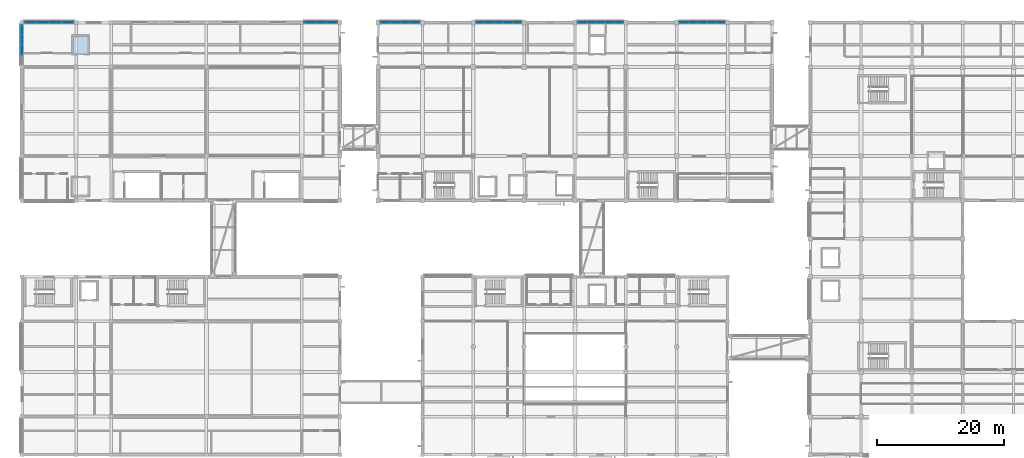
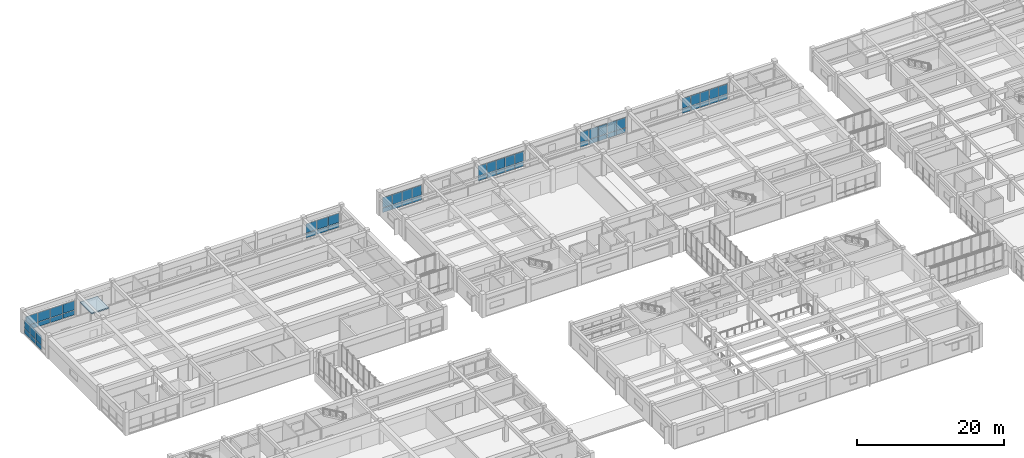
# One storey, part 41 of 66: 58 plates, 1 slab, 7 elements without a shape of their own.
"""IFC4 building model written with IfcOpenShell, lengths in metres."""

import ifcopenshell
import ifcopenshell.guid

model = None  # the IFC model being written
_history = None  # IfcOwnerHistory: only IFC2X3 demands one
_inside = {}  # id of a spatial element -> (the spatial element, [elements in it])
_under = {}  # id of a project, library or spatial element -> (it, [spatial elements below it])
_declared = {}  # id of a project -> (the project, [libraries it declares])
_typed = {}  # id of a type object -> (the type object, [elements of that type])
_made_of = {}  # id of a material, layer set ... -> (it, [elements and type objects made of it])


def new_model(schema):
    """Start an empty IFC model of exactly this schema.

    Asked for "IFC4X3", IfcOpenShell would pick the latest addendum, in which some entities
    have other attributes; the version numbers below select the first issue.
    IFC2X3 requires an IfcOwnerHistory on every rooted entity: one is made here for all.
    """
    global model, _history
    if schema == "IFC4X3":
        model = ifcopenshell.file(schema_version=(4, 3, 0, 0))
    else:
        model = ifcopenshell.file(schema=schema)
    _inside.clear()
    _under.clear()
    _declared.clear()
    _typed.clear()
    _made_of.clear()
    _history = None
    if model.schema == "IFC2X3":
        org = make("IfcOrganization", Name="unknown")
        user = make(
            "IfcPersonAndOrganization",
            ThePerson=make("IfcPerson", FamilyName="unknown"),
            TheOrganization=org,
        )
        app = make(
            "IfcApplication",
            ApplicationDeveloper=org,
            Version="unknown",
            ApplicationFullName="unknown",
            ApplicationIdentifier="unknown",
        )
        _history = make(
            "IfcOwnerHistory",
            OwningUser=user,
            OwningApplication=app,
            ChangeAction="ADDED",
            CreationDate=0,
        )
    return model


def make(cls, **values):
    """One entity of the class cls with the attributes given. An attribute that is None is left unset."""
    return model.create_entity(
        cls, **{name: value for name, value in values.items() if value is not None}
    )


def rooted(cls, **values):
    """An entity with a GlobalId (a new one), such as an element, a storey or a relation."""
    return make(cls, GlobalId=ifcopenshell.guid.new(), OwnerHistory=_history, **values)


def si_unit(unit_type, name, prefix=None):
    """IfcSIUnit, for example si_unit("LENGTHUNIT", "METRE", prefix="MILLI")."""
    return make("IfcSIUnit", UnitType=unit_type, Prefix=prefix, Name=name)


def assignment(units):
    """IfcUnitAssignment: the units of a project."""
    return None if units is None else make("IfcUnitAssignment", Units=units)


def point(xyz):
    """IfcCartesianPoint."""
    return None if xyz is None else make("IfcCartesianPoint", Coordinates=xyz)


def direction(xyz):
    """IfcDirection."""
    return None if xyz is None else make("IfcDirection", DirectionRatios=xyz)


def frame(location, z_axis=None, x_axis=None):
    """IfcAxis2Placement3D, a coordinate frame: its origin and axes. An axis left out is left unset."""
    return make(
        "IfcAxis2Placement3D",
        Location=point(location),
        Axis=direction(z_axis),
        RefDirection=direction(x_axis),
    )


def frame_2d(location, x_axis=None):
    """IfcAxis2Placement2D, a coordinate frame in the plane: its origin and x axis."""
    return make(
        "IfcAxis2Placement2D", Location=point(location), RefDirection=direction(x_axis)
    )


def origin():
    """The frame at (0, 0, 0) with its axes left unset."""
    return frame((0.0, 0.0, 0.0))


def origin_2d():
    """The frame at (0, 0) in the plane with its x axis left unset."""
    return frame_2d((0.0, 0.0))


def place(relative_to, where):
    """IfcLocalPlacement: puts the frame where relative to a parent placement (None: the world)."""
    return make(
        "IfcLocalPlacement", PlacementRelTo=relative_to, RelativePlacement=where
    )


def context(
    kind, dimensions, precision=None, world=None, true_north=None, identifier=None
):
    """IfcGeometricRepresentationContext, for example the 3D "Model" context."""
    return make(
        "IfcGeometricRepresentationContext",
        ContextIdentifier=identifier,
        ContextType=kind,
        CoordinateSpaceDimension=dimensions,
        Precision=precision,
        WorldCoordinateSystem=world,
        TrueNorth=true_north,
    )


def subcontext(parent, identifier, kind, view, scale=None):
    """IfcGeometricRepresentationSubContext, for example "Body" below "Model"."""
    return make(
        "IfcGeometricRepresentationSubContext",
        ContextIdentifier=identifier,
        ContextType=kind,
        ParentContext=parent,
        TargetScale=scale,
        TargetView=view,
    )


def project(units=None, contexts=None):
    """IfcProject with its units and contexts."""
    return rooted(
        "IfcProject",
        Name="project",
        RepresentationContexts=contexts,
        UnitsInContext=assignment(units),
    )


def spatial(cls, under=None, at=None, **own):
    """A site, building, storey or space (cls), placed at a placement, below another one or the project."""
    s = rooted(cls, ObjectPlacement=at, **own)
    if under is not None:
        _under.setdefault(under.id(), (under, []))[1].append(s)
    return s


def polyline(points):
    """IfcPolyline through the points."""
    return make("IfcPolyline", Points=[point(p) for p in points])


def profile(cls, at=None, kind="AREA", **sizes):
    """A parametric profile (cls). Its sizes go by their IFC names, for example OverallWidth=200.0."""
    return make(cls, ProfileType=kind, Position=at, **sizes)


def rectangle(**sizes):
    """IfcRectangleProfileDef."""
    return profile("IfcRectangleProfileDef", **sizes)


def outline(outer, holes=None, kind="AREA"):
    """IfcArbitraryClosedProfileDef: a profile drawn as a closed curve; with holes, ...WithVoids."""
    if holes is None:
        return make("IfcArbitraryClosedProfileDef", ProfileType=kind, OuterCurve=outer)
    return make(
        "IfcArbitraryProfileDefWithVoids",
        ProfileType=kind,
        OuterCurve=outer,
        InnerCurves=holes,
    )


def extrude(swept, where, along, depth):
    """IfcExtrudedAreaSolid: the profile swept, set in the frame where, extruded along a direction by depth."""
    return make(
        "IfcExtrudedAreaSolid",
        SweptArea=swept,
        Position=where,
        ExtrudedDirection=direction(along),
        Depth=depth,
    )


def shape(context_of_items, identifier, shape_type, items):
    """IfcShapeRepresentation: the items that make up one representation, for example the "Body"."""
    return make(
        "IfcShapeRepresentation",
        ContextOfItems=context_of_items,
        RepresentationIdentifier=identifier,
        RepresentationType=shape_type,
        Items=items,
    )


def material(Name=None, Category=None):
    """IfcMaterial."""
    return make("IfcMaterial", Name=Name, Category=Category)


def layer(
    of_material, thickness, ventilated=None, Name=None, Category=None, Priority=None
):
    """IfcMaterialLayer: one layer of a wall or slab, of a material (None: an air gap)."""
    return make(
        "IfcMaterialLayer",
        Material=of_material,
        LayerThickness=thickness,
        IsVentilated=ventilated,
        Name=Name,
        Category=Category,
        Priority=Priority,
    )


def layer_set(layers, Name=None):
    """IfcMaterialLayerSet."""
    return make("IfcMaterialLayerSet", MaterialLayers=layers, LayerSetName=Name)


def made_of(thing, what):
    """Note that an element or type object is made of a material, layer set ...; save() writes the relation."""
    if what is not None:
        _made_of.setdefault(what.id(), (what, []))[1].append(thing)
    return thing


def type_object(cls, material=None, **own):
    """A type object (cls), such as IfcWallType, which elements share."""
    return made_of(rooted(cls, **own), material)


def element(
    cls,
    number,
    at=None,
    inside=None,
    cuts=None,
    type_object=None,
    material=None,
    context=None,
    identifier="Body",
    shape_type=None,
    held_by="IfcProductDefinitionShape",
    body=None,
    shapes=None,
    **own,
):
    """One element of the class cls, such as IfcWall. Its Tag is "e" and its number.

    at: its placement. inside: the storey or other place that contains it. cuts: it is an
    opening in that element (IfcRelVoidsElement). A single representation is given by context,
    identifier, shape_type and body (its items); several are given by shapes. held_by: the class
    of the entity that holds the representations. save() writes the other relations.
    """
    e = rooted(cls, Tag="e%d" % number, ObjectPlacement=at, **own)
    if body is not None:
        shapes = [shape(context, identifier, shape_type, body)]
    if shapes is not None:
        e.Representation = make(held_by, Representations=shapes)
    if inside is not None:
        _inside.setdefault(inside.id(), (inside, []))[1].append(e)
    if cuts is not None:
        rooted(
            "IfcRelVoidsElement", RelatingBuildingElement=cuts, RelatedOpeningElement=e
        )
    if type_object is not None:
        _typed.setdefault(type_object.id(), (type_object, []))[1].append(e)
    return made_of(e, material)


def aggregate(whole, parts):
    """IfcRelAggregates: a whole, such as a stair, and the parts it consists of."""
    return rooted("IfcRelAggregates", RelatingObject=whole, RelatedObjects=parts)


def save(model, path):
    """Write the relations noted so far, then the file.

    IfcRelAggregates (storeys below a building ...), IfcRelContainedInSpatialStructure (elements
    in a storey), IfcRelDefinesByType, IfcRelAssociatesMaterial and IfcRelDeclares: one each for
    every whole, place, type object, material and project.
    """
    for whole, parts in _under.values():
        aggregate(whole, parts)
    for where, things in _inside.values():
        rooted(
            "IfcRelContainedInSpatialStructure",
            RelatedElements=things,
            RelatingStructure=where,
        )
    for kind, things in _typed.values():
        rooted("IfcRelDefinesByType", RelatedObjects=things, RelatingType=kind)
    for what, things in _made_of.values():
        rooted("IfcRelAssociatesMaterial", RelatedObjects=things, RelatingMaterial=what)
    for by, libraries in _declared.values():
        rooted("IfcRelDeclares", RelatingContext=by, RelatedDefinitions=libraries)
    model.write(path)


model = new_model("IFC4")

# Units and contexts
model_context = context("Model", 3, precision=1e-05, world=origin(), true_north=direction((0.0, 1.0)))
body_context = subcontext(model_context, "Body", "Model", "MODEL_VIEW")
ifc_project = project(units=[si_unit("LENGTHUNIT", "METRE"), si_unit("AREAUNIT", "SQUARE_METRE"), si_unit("VOLUMEUNIT", "CUBIC_METRE"), si_unit("PLANEANGLEUNIT", "RADIAN"), si_unit("MASSUNIT", "GRAM", prefix="KILO")], contexts=[model_context])

# Site, building, storey
site_placement = place(None, origin())
site = spatial("IfcSite", under=ifc_project, at=site_placement, CompositionType="ELEMENT")
building_placement = place(site_placement, origin())
building = spatial("IfcBuilding", under=site, at=building_placement, Name="Naurynzar Civic Courthouse", CompositionType="ELEMENT")
storey_placement = place(building_placement, frame((0.0, 0.0, 14.39990234375)))
storey = spatial("IfcBuildingStorey", under=building, at=storey_placement, Name="L04", CompositionType="ELEMENT", Elevation=14.39990234375)

# Curtain wall, plates
ifc_material_1 = material(Name="Aluminium 6063-T6", Category="aluminium")
ifc_layer_1 = layer(ifc_material_1, 0.179931640625)
ifc_layer_set_1 = layer_set([ifc_layer_1], Name="CW-UNIT-1500")
curtain_wall_type_1 = type_object("IfcCurtainWallType", Name="CW-UNIT-1500", PredefinedType="NOTDEFINED", material=ifc_layer_set_1)
curtain_wall_1_placement = place(storey_placement, origin())
curtain_wall_1 = element("IfcCurtainWall", 1, at=curtain_wall_1_placement, inside=storey, type_object=curtain_wall_type_1, Name="V2 unitised curtain wall 31 L04", PredefinedType="NOTDEFINED")
ifc_material_2 = material(Name="Tempered Laminated Low-E Glass", Category="glass")
ifc_layer_2 = layer(ifc_material_2, 0.031982421875)
ifc_layer_set_2 = layer_set([ifc_layer_2], Name="CWP-IGU-32")
plate_type_1 = type_object("IfcPlateType", Name="CWP-IGU-32", PredefinedType="CURTAIN_PANEL", material=ifc_layer_set_2)
plate_1_placement = place(storey_placement, frame((63.171142578125, 72.0, 0.06005859375), z_axis=(0.0, 0.0, 1.0), x_axis=(1.0, 0.0, 0.0)))
plate_1 = element("IfcPlate", 2, at=plate_1_placement, type_object=plate_type_1, Name="CW-01 panel 1.1", PredefinedType="CURTAIN_PANEL", context=body_context, shape_type="SweptSolid", body=[
    extrude(rectangle(XDim=1.472412109375, YDim=0.031982421875, at=origin_2d()), origin(), (0.0, 0.0, 1.0), 0.760009765625),
])
plate_2_placement = place(storey_placement, frame((63.171142578125, 72.0, 0.880126953125), z_axis=(0.0, 0.0, 1.0), x_axis=(1.0, 0.0, 0.0)))
plate_2 = element("IfcPlate", 3, at=plate_2_placement, type_object=plate_type_1, Name="CW-01 panel 1.2", PredefinedType="CURTAIN_PANEL", context=body_context, shape_type="SweptSolid", body=[
    extrude(rectangle(XDim=1.472412109375, YDim=0.031982421875, at=origin_2d()), origin(), (0.0, 0.0, 1.0), 1.669921875),
])
plate_3_placement = place(storey_placement, frame((64.71875, 72.0, 0.06005859375), z_axis=(0.0, 0.0, 1.0), x_axis=(1.0, 0.0, 0.0)))
plate_3 = element("IfcPlate", 4, at=plate_3_placement, type_object=plate_type_1, Name="CW-01 panel 2.1", PredefinedType="CURTAIN_PANEL", context=body_context, shape_type="SweptSolid", body=[
    extrude(rectangle(XDim=1.50244140625, YDim=0.031982421875, at=origin_2d()), origin(), (0.0, 0.0, 1.0), 0.760009765625),
])
plate_4_placement = place(storey_placement, frame((64.71875, 72.0, 0.880126953125), z_axis=(0.0, 0.0, 1.0), x_axis=(1.0, 0.0, 0.0)))
plate_4 = element("IfcPlate", 5, at=plate_4_placement, type_object=plate_type_1, Name="CW-01 panel 2.2", PredefinedType="CURTAIN_PANEL", context=body_context, shape_type="SweptSolid", body=[
    extrude(rectangle(XDim=1.50244140625, YDim=0.031982421875, at=origin_2d()), origin(), (0.0, 0.0, 1.0), 1.669921875),
])
plate_5_placement = place(storey_placement, frame((66.28125, 72.0, 0.06005859375), z_axis=(0.0, 0.0, 1.0), x_axis=(1.0, 0.0, 0.0)))
plate_5 = element("IfcPlate", 6, at=plate_5_placement, type_object=plate_type_1, Name="CW-01 panel 3.1", PredefinedType="CURTAIN_PANEL", context=body_context, shape_type="SweptSolid", body=[
    extrude(rectangle(XDim=1.50244140625, YDim=0.031982421875, at=origin_2d()), origin(), (0.0, 0.0, 1.0), 0.760009765625),
])
plate_6_placement = place(storey_placement, frame((66.28125, 72.0, 0.880126953125), z_axis=(0.0, 0.0, 1.0), x_axis=(1.0, 0.0, 0.0)))
plate_6 = element("IfcPlate", 7, at=plate_6_placement, type_object=plate_type_1, Name="CW-01 panel 3.2", PredefinedType="CURTAIN_PANEL", context=body_context, shape_type="SweptSolid", body=[
    extrude(rectangle(XDim=1.50244140625, YDim=0.031982421875, at=origin_2d()), origin(), (0.0, 0.0, 1.0), 1.669921875),
])
plate_7_placement = place(storey_placement, frame((67.828857421875, 72.0, 0.06005859375), z_axis=(0.0, 0.0, 1.0), x_axis=(1.0, 0.0, 0.0)))
plate_7 = element("IfcPlate", 8, at=plate_7_placement, type_object=plate_type_1, Name="CW-01 panel 4.1", PredefinedType="CURTAIN_PANEL", context=body_context, shape_type="SweptSolid", body=[
    extrude(rectangle(XDim=1.472412109375, YDim=0.031982421875, at=origin_2d()), origin(), (0.0, 0.0, 1.0), 0.760009765625),
])
plate_8_placement = place(storey_placement, frame((67.828857421875, 72.0, 0.880126953125), z_axis=(0.0, 0.0, 1.0), x_axis=(1.0, 0.0, 0.0)))
plate_8 = element("IfcPlate", 9, at=plate_8_placement, type_object=plate_type_1, Name="CW-01 panel 4.2", PredefinedType="CURTAIN_PANEL", context=body_context, shape_type="SweptSolid", body=[
    extrude(rectangle(XDim=1.472412109375, YDim=0.031982421875, at=origin_2d()), origin(), (0.0, 0.0, 1.0), 1.669921875),
])
aggregate(curtain_wall_1, [plate_1, plate_2, plate_3, plate_4, plate_5, plate_6, plate_7, plate_8])

curtain_wall_2_placement = place(storey_placement, origin())
curtain_wall_2 = element("IfcCurtainWall", 10, at=curtain_wall_2_placement, inside=storey, type_object=curtain_wall_type_1, Name="V2 unitised curtain wall 32 L04", PredefinedType="NOTDEFINED")
plate_9_placement = place(storey_placement, frame((78.114990234375, 72.0, 0.06005859375), z_axis=(0.0, 0.0, 1.0), x_axis=(1.0, 0.0, 0.0)))
plate_9 = element("IfcPlate", 11, at=plate_9_placement, type_object=plate_type_1, Name="CW-01 panel 1.1", PredefinedType="CURTAIN_PANEL", context=body_context, shape_type="SweptSolid", body=[
    extrude(rectangle(XDim=1.360107421875, YDim=0.031982421875, at=origin_2d()), origin(), (0.0, 0.0, 1.0), 0.760009765625),
])
plate_10_placement = place(storey_placement, frame((78.114990234375, 72.0, 0.880126953125), z_axis=(0.0, 0.0, 1.0), x_axis=(1.0, 0.0, 0.0)))
plate_10 = element("IfcPlate", 12, at=plate_10_placement, type_object=plate_type_1, Name="CW-01 panel 1.2", PredefinedType="CURTAIN_PANEL", context=body_context, shape_type="SweptSolid", body=[
    extrude(rectangle(XDim=1.360107421875, YDim=0.031982421875, at=origin_2d()), origin(), (0.0, 0.0, 1.0), 1.669921875),
])
plate_11_placement = place(storey_placement, frame((79.550048828125, 72.0, 0.06005859375), z_axis=(0.0, 0.0, 1.0), x_axis=(1.0, 0.0, 0.0)))
plate_11 = element("IfcPlate", 13, at=plate_11_placement, type_object=plate_type_1, Name="CW-01 panel 2.1", PredefinedType="CURTAIN_PANEL", context=body_context, shape_type="SweptSolid", body=[
    extrude(rectangle(XDim=1.389892578125, YDim=0.031982421875, at=origin_2d()), origin(), (0.0, 0.0, 1.0), 0.760009765625),
])
plate_12_placement = place(storey_placement, frame((79.550048828125, 72.0, 0.880126953125), z_axis=(0.0, 0.0, 1.0), x_axis=(1.0, 0.0, 0.0)))
plate_12 = element("IfcPlate", 14, at=plate_12_placement, type_object=plate_type_1, Name="CW-01 panel 2.2", PredefinedType="CURTAIN_PANEL", context=body_context, shape_type="SweptSolid", body=[
    extrude(rectangle(XDim=1.389892578125, YDim=0.031982421875, at=origin_2d()), origin(), (0.0, 0.0, 1.0), 1.669921875),
])
plate_13_placement = place(storey_placement, frame((81.0, 72.0, 0.06005859375), z_axis=(0.0, 0.0, 1.0), x_axis=(1.0, 0.0, 0.0)))
plate_13 = element("IfcPlate", 15, at=plate_13_placement, type_object=plate_type_1, Name="CW-01 panel 3.1", PredefinedType="CURTAIN_PANEL", context=body_context, shape_type="SweptSolid", body=[
    extrude(rectangle(XDim=1.389892578125, YDim=0.031982421875, at=origin_2d()), origin(), (0.0, 0.0, 1.0), 0.760009765625),
])
plate_14_placement = place(storey_placement, frame((81.0, 72.0, 0.880126953125), z_axis=(0.0, 0.0, 1.0), x_axis=(1.0, 0.0, 0.0)))
plate_14 = element("IfcPlate", 16, at=plate_14_placement, type_object=plate_type_1, Name="CW-01 panel 3.2", PredefinedType="CURTAIN_PANEL", context=body_context, shape_type="SweptSolid", body=[
    extrude(rectangle(XDim=1.389892578125, YDim=0.031982421875, at=origin_2d()), origin(), (0.0, 0.0, 1.0), 1.669921875),
])
plate_15_placement = place(storey_placement, frame((82.449951171875, 72.0, 0.06005859375), z_axis=(0.0, 0.0, 1.0), x_axis=(1.0, 0.0, 0.0)))
plate_15 = element("IfcPlate", 17, at=plate_15_placement, type_object=plate_type_1, Name="CW-01 panel 4.1", PredefinedType="CURTAIN_PANEL", context=body_context, shape_type="SweptSolid", body=[
    extrude(rectangle(XDim=1.389892578125, YDim=0.031982421875, at=origin_2d()), origin(), (0.0, 0.0, 1.0), 0.760009765625),
])
plate_16_placement = place(storey_placement, frame((82.449951171875, 72.0, 0.880126953125), z_axis=(0.0, 0.0, 1.0), x_axis=(1.0, 0.0, 0.0)))
plate_16 = element("IfcPlate", 18, at=plate_16_placement, type_object=plate_type_1, Name="CW-01 panel 4.2", PredefinedType="CURTAIN_PANEL", context=body_context, shape_type="SweptSolid", body=[
    extrude(rectangle(XDim=1.389892578125, YDim=0.031982421875, at=origin_2d()), origin(), (0.0, 0.0, 1.0), 1.669921875),
])
plate_17_placement = place(storey_placement, frame((83.885009765625, 72.0, 0.06005859375), z_axis=(0.0, 0.0, 1.0), x_axis=(1.0, 0.0, 0.0)))
plate_17 = element("IfcPlate", 19, at=plate_17_placement, type_object=plate_type_1, Name="CW-01 panel 5.1", PredefinedType="CURTAIN_PANEL", context=body_context, shape_type="SweptSolid", body=[
    extrude(rectangle(XDim=1.360107421875, YDim=0.031982421875, at=origin_2d()), origin(), (0.0, 0.0, 1.0), 0.760009765625),
])
plate_18_placement = place(storey_placement, frame((83.885009765625, 72.0, 0.880126953125), z_axis=(0.0, 0.0, 1.0), x_axis=(1.0, 0.0, 0.0)))
plate_18 = element("IfcPlate", 20, at=plate_18_placement, type_object=plate_type_1, Name="CW-01 panel 5.2", PredefinedType="CURTAIN_PANEL", context=body_context, shape_type="SweptSolid", body=[
    extrude(rectangle(XDim=1.360107421875, YDim=0.031982421875, at=origin_2d()), origin(), (0.0, 0.0, 1.0), 1.669921875),
])
aggregate(curtain_wall_2, [plate_9, plate_10, plate_11, plate_12, plate_13, plate_14, plate_15, plate_16, plate_17, plate_18])

curtain_wall_3_placement = place(storey_placement, origin())
curtain_wall_3 = element("IfcCurtainWall", 21, at=curtain_wall_3_placement, inside=storey, type_object=curtain_wall_type_1, Name="V2 unitised curtain wall 33 L04", PredefinedType="NOTDEFINED")
plate_19_placement = place(storey_placement, frame((94.114990234375, 72.0, 0.06005859375), z_axis=(0.0, 0.0, 1.0), x_axis=(1.0, 0.0, 0.0)))
plate_19 = element("IfcPlate", 22, at=plate_19_placement, type_object=plate_type_1, Name="CW-01 panel 1.1", PredefinedType="CURTAIN_PANEL", context=body_context, shape_type="SweptSolid", body=[
    extrude(rectangle(XDim=1.360107421875, YDim=0.031982421875, at=origin_2d()), origin(), (0.0, 0.0, 1.0), 0.760009765625),
])
plate_20_placement = place(storey_placement, frame((94.114990234375, 72.0, 0.880126953125), z_axis=(0.0, 0.0, 1.0), x_axis=(1.0, 0.0, 0.0)))
plate_20 = element("IfcPlate", 23, at=plate_20_placement, type_object=plate_type_1, Name="CW-01 panel 1.2", PredefinedType="CURTAIN_PANEL", context=body_context, shape_type="SweptSolid", body=[
    extrude(rectangle(XDim=1.360107421875, YDim=0.031982421875, at=origin_2d()), origin(), (0.0, 0.0, 1.0), 1.669921875),
])
plate_21_placement = place(storey_placement, frame((95.550048828125, 72.0, 0.06005859375), z_axis=(0.0, 0.0, 1.0), x_axis=(1.0, 0.0, 0.0)))
plate_21 = element("IfcPlate", 24, at=plate_21_placement, type_object=plate_type_1, Name="CW-01 panel 2.1", PredefinedType="CURTAIN_PANEL", context=body_context, shape_type="SweptSolid", body=[
    extrude(rectangle(XDim=1.389892578125, YDim=0.031982421875, at=origin_2d()), origin(), (0.0, 0.0, 1.0), 0.760009765625),
])
plate_22_placement = place(storey_placement, frame((95.550048828125, 72.0, 0.880126953125), z_axis=(0.0, 0.0, 1.0), x_axis=(1.0, 0.0, 0.0)))
plate_22 = element("IfcPlate", 25, at=plate_22_placement, type_object=plate_type_1, Name="CW-01 panel 2.2", PredefinedType="CURTAIN_PANEL", context=body_context, shape_type="SweptSolid", body=[
    extrude(rectangle(XDim=1.389892578125, YDim=0.031982421875, at=origin_2d()), origin(), (0.0, 0.0, 1.0), 1.669921875),
])
plate_23_placement = place(storey_placement, frame((97.0, 72.0, 0.06005859375), z_axis=(0.0, 0.0, 1.0), x_axis=(1.0, 0.0, 0.0)))
plate_23 = element("IfcPlate", 26, at=plate_23_placement, type_object=plate_type_1, Name="CW-01 panel 3.1", PredefinedType="CURTAIN_PANEL", context=body_context, shape_type="SweptSolid", body=[
    extrude(rectangle(XDim=1.389892578125, YDim=0.031982421875, at=origin_2d()), origin(), (0.0, 0.0, 1.0), 0.760009765625),
])
plate_24_placement = place(storey_placement, frame((97.0, 72.0, 0.880126953125), z_axis=(0.0, 0.0, 1.0), x_axis=(1.0, 0.0, 0.0)))
plate_24 = element("IfcPlate", 27, at=plate_24_placement, type_object=plate_type_1, Name="CW-01 panel 3.2", PredefinedType="CURTAIN_PANEL", context=body_context, shape_type="SweptSolid", body=[
    extrude(rectangle(XDim=1.389892578125, YDim=0.031982421875, at=origin_2d()), origin(), (0.0, 0.0, 1.0), 1.669921875),
])
plate_25_placement = place(storey_placement, frame((98.449951171875, 72.0, 0.06005859375), z_axis=(0.0, 0.0, 1.0), x_axis=(1.0, 0.0, 0.0)))
plate_25 = element("IfcPlate", 28, at=plate_25_placement, type_object=plate_type_1, Name="CW-01 panel 4.1", PredefinedType="CURTAIN_PANEL", context=body_context, shape_type="SweptSolid", body=[
    extrude(rectangle(XDim=1.389892578125, YDim=0.031982421875, at=origin_2d()), origin(), (0.0, 0.0, 1.0), 0.760009765625),
])
plate_26_placement = place(storey_placement, frame((98.449951171875, 72.0, 0.880126953125), z_axis=(0.0, 0.0, 1.0), x_axis=(1.0, 0.0, 0.0)))
plate_26 = element("IfcPlate", 29, at=plate_26_placement, type_object=plate_type_1, Name="CW-01 panel 4.2", PredefinedType="CURTAIN_PANEL", context=body_context, shape_type="SweptSolid", body=[
    extrude(rectangle(XDim=1.389892578125, YDim=0.031982421875, at=origin_2d()), origin(), (0.0, 0.0, 1.0), 1.669921875),
])
plate_27_placement = place(storey_placement, frame((99.885009765625, 72.0, 0.06005859375), z_axis=(0.0, 0.0, 1.0), x_axis=(1.0, 0.0, 0.0)))
plate_27 = element("IfcPlate", 30, at=plate_27_placement, type_object=plate_type_1, Name="CW-01 panel 5.1", PredefinedType="CURTAIN_PANEL", context=body_context, shape_type="SweptSolid", body=[
    extrude(rectangle(XDim=1.360107421875, YDim=0.031982421875, at=origin_2d()), origin(), (0.0, 0.0, 1.0), 0.760009765625),
])
plate_28_placement = place(storey_placement, frame((99.885009765625, 72.0, 0.880126953125), z_axis=(0.0, 0.0, 1.0), x_axis=(1.0, 0.0, 0.0)))
plate_28 = element("IfcPlate", 31, at=plate_28_placement, type_object=plate_type_1, Name="CW-01 panel 5.2", PredefinedType="CURTAIN_PANEL", context=body_context, shape_type="SweptSolid", body=[
    extrude(rectangle(XDim=1.360107421875, YDim=0.031982421875, at=origin_2d()), origin(), (0.0, 0.0, 1.0), 1.669921875),
])
aggregate(curtain_wall_3, [plate_19, plate_20, plate_21, plate_22, plate_23, plate_24, plate_25, plate_26, plate_27, plate_28])

curtain_wall_4_placement = place(storey_placement, origin())
curtain_wall_4 = element("IfcCurtainWall", 32, at=curtain_wall_4_placement, inside=storey, type_object=curtain_wall_type_1, Name="V2 unitised curtain wall 34 L04", PredefinedType="NOTDEFINED")
plate_29_placement = place(storey_placement, frame((110.114990234375, 72.0, 0.06005859375), z_axis=(0.0, 0.0, 1.0), x_axis=(1.0, 0.0, 0.0)))
plate_29 = element("IfcPlate", 33, at=plate_29_placement, type_object=plate_type_1, Name="CW-01 panel 1.1", PredefinedType="CURTAIN_PANEL", context=body_context, shape_type="SweptSolid", body=[
    extrude(rectangle(XDim=1.360107421875, YDim=0.031982421875, at=origin_2d()), origin(), (0.0, 0.0, 1.0), 0.760009765625),
])
plate_30_placement = place(storey_placement, frame((110.114990234375, 72.0, 0.880126953125), z_axis=(0.0, 0.0, 1.0), x_axis=(1.0, 0.0, 0.0)))
plate_30 = element("IfcPlate", 34, at=plate_30_placement, type_object=plate_type_1, Name="CW-01 panel 1.2", PredefinedType="CURTAIN_PANEL", context=body_context, shape_type="SweptSolid", body=[
    extrude(rectangle(XDim=1.360107421875, YDim=0.031982421875, at=origin_2d()), origin(), (0.0, 0.0, 1.0), 1.669921875),
])
plate_31_placement = place(storey_placement, frame((111.550048828125, 72.0, 0.06005859375), z_axis=(0.0, 0.0, 1.0), x_axis=(1.0, 0.0, 0.0)))
plate_31 = element("IfcPlate", 35, at=plate_31_placement, type_object=plate_type_1, Name="CW-01 panel 2.1", PredefinedType="CURTAIN_PANEL", context=body_context, shape_type="SweptSolid", body=[
    extrude(rectangle(XDim=1.389892578125, YDim=0.031982421875, at=origin_2d()), origin(), (0.0, 0.0, 1.0), 0.760009765625),
])
plate_32_placement = place(storey_placement, frame((111.550048828125, 72.0, 0.880126953125), z_axis=(0.0, 0.0, 1.0), x_axis=(1.0, 0.0, 0.0)))
plate_32 = element("IfcPlate", 36, at=plate_32_placement, type_object=plate_type_1, Name="CW-01 panel 2.2", PredefinedType="CURTAIN_PANEL", context=body_context, shape_type="SweptSolid", body=[
    extrude(rectangle(XDim=1.389892578125, YDim=0.031982421875, at=origin_2d()), origin(), (0.0, 0.0, 1.0), 1.669921875),
])
plate_33_placement = place(storey_placement, frame((113.0, 72.0, 0.06005859375), z_axis=(0.0, 0.0, 1.0), x_axis=(1.0, 0.0, 0.0)))
plate_33 = element("IfcPlate", 37, at=plate_33_placement, type_object=plate_type_1, Name="CW-01 panel 3.1", PredefinedType="CURTAIN_PANEL", context=body_context, shape_type="SweptSolid", body=[
    extrude(rectangle(XDim=1.389892578125, YDim=0.031982421875, at=origin_2d()), origin(), (0.0, 0.0, 1.0), 0.760009765625),
])
plate_34_placement = place(storey_placement, frame((113.0, 72.0, 0.880126953125), z_axis=(0.0, 0.0, 1.0), x_axis=(1.0, 0.0, 0.0)))
plate_34 = element("IfcPlate", 38, at=plate_34_placement, type_object=plate_type_1, Name="CW-01 panel 3.2", PredefinedType="CURTAIN_PANEL", context=body_context, shape_type="SweptSolid", body=[
    extrude(rectangle(XDim=1.389892578125, YDim=0.031982421875, at=origin_2d()), origin(), (0.0, 0.0, 1.0), 1.669921875),
])
plate_35_placement = place(storey_placement, frame((114.449951171875, 72.0, 0.06005859375), z_axis=(0.0, 0.0, 1.0), x_axis=(1.0, 0.0, 0.0)))
plate_35 = element("IfcPlate", 39, at=plate_35_placement, type_object=plate_type_1, Name="CW-01 panel 4.1", PredefinedType="CURTAIN_PANEL", context=body_context, shape_type="SweptSolid", body=[
    extrude(rectangle(XDim=1.389892578125, YDim=0.031982421875, at=origin_2d()), origin(), (0.0, 0.0, 1.0), 0.760009765625),
])
plate_36_placement = place(storey_placement, frame((114.449951171875, 72.0, 0.880126953125), z_axis=(0.0, 0.0, 1.0), x_axis=(1.0, 0.0, 0.0)))
plate_36 = element("IfcPlate", 40, at=plate_36_placement, type_object=plate_type_1, Name="CW-01 panel 4.2", PredefinedType="CURTAIN_PANEL", context=body_context, shape_type="SweptSolid", body=[
    extrude(rectangle(XDim=1.389892578125, YDim=0.031982421875, at=origin_2d()), origin(), (0.0, 0.0, 1.0), 1.669921875),
])
plate_37_placement = place(storey_placement, frame((115.885009765625, 72.0, 0.06005859375), z_axis=(0.0, 0.0, 1.0), x_axis=(1.0, 0.0, 0.0)))
plate_37 = element("IfcPlate", 41, at=plate_37_placement, type_object=plate_type_1, Name="CW-01 panel 5.1", PredefinedType="CURTAIN_PANEL", context=body_context, shape_type="SweptSolid", body=[
    extrude(rectangle(XDim=1.360107421875, YDim=0.031982421875, at=origin_2d()), origin(), (0.0, 0.0, 1.0), 0.760009765625),
])
plate_38_placement = place(storey_placement, frame((115.885009765625, 72.0, 0.880126953125), z_axis=(0.0, 0.0, 1.0), x_axis=(1.0, 0.0, 0.0)))
plate_38 = element("IfcPlate", 42, at=plate_38_placement, type_object=plate_type_1, Name="CW-01 panel 5.2", PredefinedType="CURTAIN_PANEL", context=body_context, shape_type="SweptSolid", body=[
    extrude(rectangle(XDim=1.360107421875, YDim=0.031982421875, at=origin_2d()), origin(), (0.0, 0.0, 1.0), 1.669921875),
])
aggregate(curtain_wall_4, [plate_29, plate_30, plate_31, plate_32, plate_33, plate_34, plate_35, plate_36, plate_37, plate_38])

ifc_material_3 = material(Name="Aluminium 6063-T6", Category="aluminium")
ifc_layer_3 = layer(ifc_material_3, 0.159912109375)
ifc_layer_set_3 = layer_set([ifc_layer_3], Name="CW-UNIT-1800")
curtain_wall_type_2 = type_object("IfcCurtainWallType", Name="CW-UNIT-1800", PredefinedType="NOTDEFINED", material=ifc_layer_set_3)
curtain_wall_5_placement = place(storey_placement, origin())
curtain_wall_5 = element("IfcCurtainWall", 43, at=curtain_wall_5_placement, inside=storey, type_object=curtain_wall_type_2, Name="V1 unitised curtain wall 14 L04", PredefinedType="NOTDEFINED")
ifc_material_4 = material(Name="Tempered Laminated Low-E Glass", Category="glass")
ifc_layer_4 = layer(ifc_material_4, 0.035888671875)
ifc_layer_set_4 = layer_set([ifc_layer_4], Name="CWP-IGU-36")
plate_type_2 = type_object("IfcPlateType", Name="CWP-IGU-36", PredefinedType="CURTAIN_PANEL", material=ifc_layer_set_4)
plate_39_placement = place(storey_placement, frame((6.0, 67.71240234375, 0.070068359375), z_axis=(0.0, 0.0, 1.0), x_axis=(0.0, 1.0, 0.0)))
plate_39 = element("IfcPlate", 44, at=plate_39_placement, type_object=plate_type_2, Name="CW-02 panel 2.1", PredefinedType="CURTAIN_PANEL", context=body_context, shape_type="SweptSolid", body=[
    extrude(rectangle(XDim=1.5048828125, YDim=0.035888671875, at=origin_2d()), origin(), (0.0, 0.0, 1.0), 0.7451171875),
])
plate_40_placement = place(storey_placement, frame((6.0, 67.71240234375, 0.88525390625), z_axis=(0.0, 0.0, 1.0), x_axis=(0.0, 1.0, 0.0)))
plate_40 = element("IfcPlate", 45, at=plate_40_placement, type_object=plate_type_2, Name="CW-02 panel 2.2", PredefinedType="CURTAIN_PANEL", context=body_context, shape_type="SweptSolid", body=[
    extrude(rectangle(XDim=1.5048828125, YDim=0.035888671875, at=origin_2d()), origin(), (0.0, 0.0, 1.0), 1.5048828125),
])
plate_41_placement = place(storey_placement, frame((6.0, 69.28759765625, 0.070068359375), z_axis=(0.0, 0.0, 1.0), x_axis=(0.0, 1.0, 0.0)))
plate_41 = element("IfcPlate", 46, at=plate_41_placement, type_object=plate_type_2, Name="CW-02 panel 3.1", PredefinedType="CURTAIN_PANEL", context=body_context, shape_type="SweptSolid", body=[
    extrude(rectangle(XDim=1.5048828125, YDim=0.035888671875, at=origin_2d()), origin(), (0.0, 0.0, 1.0), 0.7451171875),
])
plate_42_placement = place(storey_placement, frame((6.0, 69.28759765625, 0.88525390625), z_axis=(0.0, 0.0, 1.0), x_axis=(0.0, 1.0, 0.0)))
plate_42 = element("IfcPlate", 47, at=plate_42_placement, type_object=plate_type_2, Name="CW-02 panel 3.2", PredefinedType="CURTAIN_PANEL", context=body_context, shape_type="SweptSolid", body=[
    extrude(rectangle(XDim=1.5048828125, YDim=0.035888671875, at=origin_2d()), origin(), (0.0, 0.0, 1.0), 1.5048828125),
])
plate_43_placement = place(storey_placement, frame((6.0, 70.844970703125, 0.070068359375), z_axis=(0.0, 0.0, 1.0), x_axis=(0.0, 1.0, 0.0)))
plate_43 = element("IfcPlate", 48, at=plate_43_placement, type_object=plate_type_2, Name="CW-02 panel 4.1", PredefinedType="CURTAIN_PANEL", context=body_context, shape_type="SweptSolid", body=[
    extrude(rectangle(XDim=1.469970703125, YDim=0.035888671875, at=origin_2d()), origin(), (0.0, 0.0, 1.0), 0.7451171875),
])
plate_44_placement = place(storey_placement, frame((6.0, 70.844970703125, 0.88525390625), z_axis=(0.0, 0.0, 1.0), x_axis=(0.0, 1.0, 0.0)))
plate_44 = element("IfcPlate", 49, at=plate_44_placement, type_object=plate_type_2, Name="CW-02 panel 4.2", PredefinedType="CURTAIN_PANEL", context=body_context, shape_type="SweptSolid", body=[
    extrude(rectangle(XDim=1.469970703125, YDim=0.035888671875, at=origin_2d()), origin(), (0.0, 0.0, 1.0), 1.5048828125),
])
aggregate(curtain_wall_5, [plate_39, plate_40, plate_41, plate_42, plate_43, plate_44])

curtain_wall_6_placement = place(storey_placement, origin())
curtain_wall_6 = element("IfcCurtainWall", 50, at=curtain_wall_6_placement, inside=storey, type_object=curtain_wall_type_2, Name="V1 unitised curtain wall 15 L04", PredefinedType="NOTDEFINED")
plate_45_placement = place(storey_placement, frame((7.342529296875, 72.0, 0.070068359375), z_axis=(0.0, 0.0, 1.0), x_axis=(1.0, 0.0, 0.0)))
plate_45 = element("IfcPlate", 51, at=plate_45_placement, type_object=plate_type_2, Name="CW-02 panel 1.1", PredefinedType="CURTAIN_PANEL", context=body_context, shape_type="SweptSolid", body=[
    extrude(rectangle(XDim=1.844970703125, YDim=0.035888671875, at=origin_2d()), origin(), (0.0, 0.0, 1.0), 0.7451171875),
])
plate_46_placement = place(storey_placement, frame((7.342529296875, 72.0, 0.88525390625), z_axis=(0.0, 0.0, 1.0), x_axis=(1.0, 0.0, 0.0)))
plate_46 = element("IfcPlate", 52, at=plate_46_placement, type_object=plate_type_2, Name="CW-02 panel 1.2", PredefinedType="CURTAIN_PANEL", context=body_context, shape_type="SweptSolid", body=[
    extrude(rectangle(XDim=1.844970703125, YDim=0.035888671875, at=origin_2d()), origin(), (0.0, 0.0, 1.0), 1.5048828125),
])
plate_47_placement = place(storey_placement, frame((9.27490234375, 72.0, 0.070068359375), z_axis=(0.0, 0.0, 1.0), x_axis=(1.0, 0.0, 0.0)))
plate_47 = element("IfcPlate", 53, at=plate_47_placement, type_object=plate_type_2, Name="CW-02 panel 2.1", PredefinedType="CURTAIN_PANEL", context=body_context, shape_type="SweptSolid", body=[
    extrude(rectangle(XDim=1.8798828125, YDim=0.035888671875, at=origin_2d()), origin(), (0.0, 0.0, 1.0), 0.7451171875),
])
plate_48_placement = place(storey_placement, frame((9.27490234375, 72.0, 0.88525390625), z_axis=(0.0, 0.0, 1.0), x_axis=(1.0, 0.0, 0.0)))
plate_48 = element("IfcPlate", 54, at=plate_48_placement, type_object=plate_type_2, Name="CW-02 panel 2.2", PredefinedType="CURTAIN_PANEL", context=body_context, shape_type="SweptSolid", body=[
    extrude(rectangle(XDim=1.8798828125, YDim=0.035888671875, at=origin_2d()), origin(), (0.0, 0.0, 1.0), 1.5048828125),
])
plate_49_placement = place(storey_placement, frame((11.22509765625, 72.0, 0.070068359375), z_axis=(0.0, 0.0, 1.0), x_axis=(1.0, 0.0, 0.0)))
plate_49 = element("IfcPlate", 55, at=plate_49_placement, type_object=plate_type_2, Name="CW-02 panel 3.1", PredefinedType="CURTAIN_PANEL", context=body_context, shape_type="SweptSolid", body=[
    extrude(rectangle(XDim=1.8798828125, YDim=0.035888671875, at=origin_2d()), origin(), (0.0, 0.0, 1.0), 0.7451171875),
])
plate_50_placement = place(storey_placement, frame((11.22509765625, 72.0, 0.88525390625), z_axis=(0.0, 0.0, 1.0), x_axis=(1.0, 0.0, 0.0)))
plate_50 = element("IfcPlate", 56, at=plate_50_placement, type_object=plate_type_2, Name="CW-02 panel 3.2", PredefinedType="CURTAIN_PANEL", context=body_context, shape_type="SweptSolid", body=[
    extrude(rectangle(XDim=1.8798828125, YDim=0.035888671875, at=origin_2d()), origin(), (0.0, 0.0, 1.0), 1.5048828125),
])
plate_51_placement = place(storey_placement, frame((13.157470703125, 72.0, 0.070068359375), z_axis=(0.0, 0.0, 1.0), x_axis=(1.0, 0.0, 0.0)))
plate_51 = element("IfcPlate", 57, at=plate_51_placement, type_object=plate_type_2, Name="CW-02 panel 4.1", PredefinedType="CURTAIN_PANEL", context=body_context, shape_type="SweptSolid", body=[
    extrude(rectangle(XDim=1.844970703125, YDim=0.035888671875, at=origin_2d()), origin(), (0.0, 0.0, 1.0), 0.7451171875),
])
plate_52_placement = place(storey_placement, frame((13.157470703125, 72.0, 0.88525390625), z_axis=(0.0, 0.0, 1.0), x_axis=(1.0, 0.0, 0.0)))
plate_52 = element("IfcPlate", 58, at=plate_52_placement, type_object=plate_type_2, Name="CW-02 panel 4.2", PredefinedType="CURTAIN_PANEL", context=body_context, shape_type="SweptSolid", body=[
    extrude(rectangle(XDim=1.844970703125, YDim=0.035888671875, at=origin_2d()), origin(), (0.0, 0.0, 1.0), 1.5048828125),
])
aggregate(curtain_wall_6, [plate_45, plate_46, plate_47, plate_48, plate_49, plate_50, plate_51, plate_52])

curtain_wall_7_placement = place(storey_placement, origin())
curtain_wall_7 = element("IfcCurtainWall", 59, at=curtain_wall_7_placement, inside=storey, type_object=curtain_wall_type_2, Name="V1 unitised curtain wall 16 L04", PredefinedType="NOTDEFINED")
plate_53_placement = place(storey_placement, frame((51.250732421875, 72.0, 0.070068359375), z_axis=(0.0, 0.0, 1.0), x_axis=(1.0, 0.0, 0.0)))
plate_53 = element("IfcPlate", 60, at=plate_53_placement, type_object=plate_type_2, Name="CW-02 panel 1.1", PredefinedType="CURTAIN_PANEL", context=body_context, shape_type="SweptSolid", body=[
    extrude(rectangle(XDim=1.66162109375, YDim=0.035888671875, at=origin_2d()), origin(), (0.0, 0.0, 1.0), 0.7451171875),
])
plate_54_placement = place(storey_placement, frame((51.250732421875, 72.0, 0.88525390625), z_axis=(0.0, 0.0, 1.0), x_axis=(1.0, 0.0, 0.0)))
plate_54 = element("IfcPlate", 61, at=plate_54_placement, type_object=plate_type_2, Name="CW-02 panel 1.2", PredefinedType="CURTAIN_PANEL", context=body_context, shape_type="SweptSolid", body=[
    extrude(rectangle(XDim=1.66162109375, YDim=0.035888671875, at=origin_2d()), origin(), (0.0, 0.0, 1.0), 1.5048828125),
])
plate_55_placement = place(storey_placement, frame((53.0, 72.0, 0.070068359375), z_axis=(0.0, 0.0, 1.0), x_axis=(1.0, 0.0, 0.0)))
plate_55 = element("IfcPlate", 62, at=plate_55_placement, type_object=plate_type_2, Name="CW-02 panel 2.1", PredefinedType="CURTAIN_PANEL", context=body_context, shape_type="SweptSolid", body=[
    extrude(rectangle(XDim=1.69677734375, YDim=0.035888671875, at=origin_2d()), origin(), (0.0, 0.0, 1.0), 0.7451171875),
])
plate_56_placement = place(storey_placement, frame((53.0, 72.0, 0.88525390625), z_axis=(0.0, 0.0, 1.0), x_axis=(1.0, 0.0, 0.0)))
plate_56 = element("IfcPlate", 63, at=plate_56_placement, type_object=plate_type_2, Name="CW-02 panel 2.2", PredefinedType="CURTAIN_PANEL", context=body_context, shape_type="SweptSolid", body=[
    extrude(rectangle(XDim=1.69677734375, YDim=0.035888671875, at=origin_2d()), origin(), (0.0, 0.0, 1.0), 1.5048828125),
])
plate_57_placement = place(storey_placement, frame((54.749267578125, 72.0, 0.070068359375), z_axis=(0.0, 0.0, 1.0), x_axis=(1.0, 0.0, 0.0)))
plate_57 = element("IfcPlate", 64, at=plate_57_placement, type_object=plate_type_2, Name="CW-02 panel 3.1", PredefinedType="CURTAIN_PANEL", context=body_context, shape_type="SweptSolid", body=[
    extrude(rectangle(XDim=1.66162109375, YDim=0.035888671875, at=origin_2d()), origin(), (0.0, 0.0, 1.0), 0.7451171875),
])
plate_58_placement = place(storey_placement, frame((54.749267578125, 72.0, 0.88525390625), z_axis=(0.0, 0.0, 1.0), x_axis=(1.0, 0.0, 0.0)))
plate_58 = element("IfcPlate", 65, at=plate_58_placement, type_object=plate_type_2, Name="CW-02 panel 3.2", PredefinedType="CURTAIN_PANEL", context=body_context, shape_type="SweptSolid", body=[
    extrude(rectangle(XDim=1.66162109375, YDim=0.035888671875, at=origin_2d()), origin(), (0.0, 0.0, 1.0), 1.5048828125),
])
aggregate(curtain_wall_7, [plate_53, plate_54, plate_55, plate_56, plate_57, plate_58])

# Slab
ifc_material_5 = material(Name="Concrete C40/50", Category="concrete")
ifc_layer_5 = layer(ifc_material_5, 0.22998046875)
ifc_layer_set_5 = layer_set([ifc_layer_5], Name="ROOF-CRWN-230")
slab_type = type_object("IfcSlabType", Name="ROOF-CRWN-230", PredefinedType="ROOF", material=ifc_layer_set_5)
slab_placement = place(storey_placement, frame((0.0, 0.0, 3.27001953125)))
element("IfcSlab", 66, at=slab_placement, inside=storey, type_object=slab_type, Name="Lift LJ-01 overrun cap slab", PredefinedType="ROOF", context=body_context, shape_type="SweptSolid", body=[
    extrude(outline(polyline([(13.85009765625, 66.949951171875), (16.550048828125, 66.949951171875), (16.550048828125, 70.050048828125), (13.85009765625, 70.050048828125), (13.85009765625, 66.949951171875)])), origin(), (0.0, 0.0, 1.0), 0.18017578125),
])

save(model, "model.ifc")
